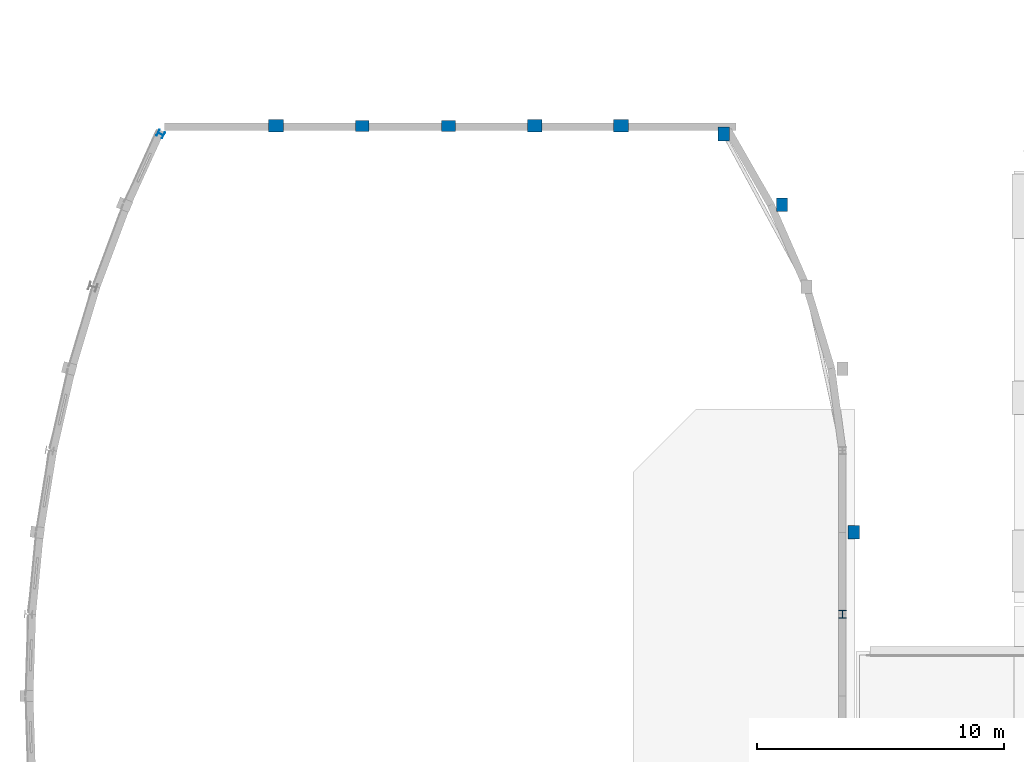
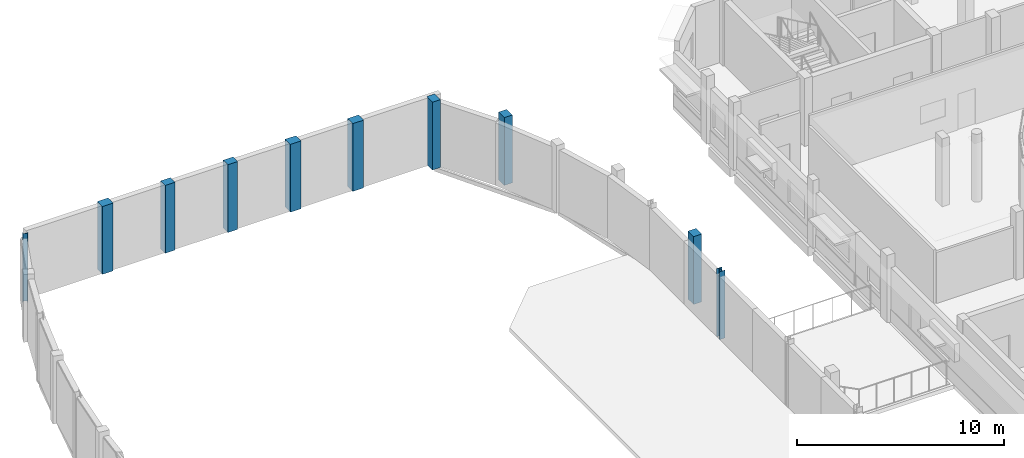
# One storey, part 5 of 89: 10 columns.
"""IFC4 building model written with IfcOpenShell, lengths in metres."""

from ifc_helpers import new_model, si_unit, direction, frame, origin, origin_2d, place, context, subcontext, project, spatial, rectangle, i_section, extrude, material, material_profile, profile_set, type_object, element, save


model = new_model("IFC4")

# Units and contexts
model_context = context("Model", 3, precision=1e-05, world=origin(), true_north=direction((0.0, 1.0)))
body_context = subcontext(model_context, "Body", "Model", "MODEL_VIEW")
ifc_project = project(units=[si_unit("LENGTHUNIT", "METRE"), si_unit("AREAUNIT", "SQUARE_METRE"), si_unit("VOLUMEUNIT", "CUBIC_METRE"), si_unit("PLANEANGLEUNIT", "RADIAN"), si_unit("MASSUNIT", "GRAM", prefix="KILO")], contexts=[model_context])

# Site, building, storey
site_placement = place(None, origin())
site = spatial("IfcSite", under=ifc_project, at=site_placement, CompositionType="ELEMENT")
building_placement = place(site_placement, origin())
building = spatial("IfcBuilding", under=site, at=building_placement, Name="Kelanivale Promenade Academy", CompositionType="ELEMENT")
storey_placement = place(building_placement, frame((0.0, 0.0, 12.199951171875)))
storey = spatial("IfcBuildingStorey", under=building, at=storey_placement, Name="L03", CompositionType="ELEMENT", Elevation=12.199951171875)

# Columns
ifc_material_1 = material(Name="Concrete C40/50", Category="concrete")
ifc_material_profile_1 = material_profile(ifc_material_1, rectangle(XDim=0.449951171875, YDim=0.550048828125, at=origin_2d()), Name="RC-PIL 450x550")
ifc_profile_set_1 = profile_set([ifc_material_profile_1], Name="Concrete C40/50")
column_type_1 = type_object("IfcColumnType", Name="PL-17 RC-PIL 450x550", PredefinedType="PILASTER", material=ifc_profile_set_1)
for number, where, z_axis, x_axis, name in (
    (1, (16.012939453125, 79.280029296875, 0.0), (0.0, 0.0, 1.0), (0.0, 1.0, 0.0), "Column PL-17 at (16.0, 79.3) L03"),
    (2, (19.506103515625, 79.280029296875, 0.0), (0.0, 0.0, 1.0), (0.0, 1.0, 0.0), "Column PL-17 at (19.5, 79.3) L03"),
    (3, (30.64990234375, 78.949951171875, 0.0), (0.0, 0.0, 1.0), (1.0, 0.0, 0.0), "Column PL-17 at (30.6, 79.0) L03"),
    (4, (33.010009765625, 76.0859375, 0.0), (0.0, 0.0, 1.0), (1.0, 0.0, 0.0), "Column PL-17 at (33.0, 76.1) L03"),
    (5, (35.909912109375, 62.8291015625, 0.0), (0.0, 0.0, 1.0), (1.0, 0.0, 0.0), "Column PL-17 at (35.9, 62.8) L03"),
):
    element("IfcColumn", number, at=place(storey_placement, frame(where, z_axis=z_axis, x_axis=x_axis)), inside=storey, type_object=column_type_1, Name=name, PredefinedType="PILASTER", context=body_context, shape_type="SweptSolid", body=[
        extrude(rectangle(XDim=0.449951171875, YDim=0.550048828125, at=origin_2d()), origin(), (0.0, 0.0, 1.0), 4.0),
    ])
ifc_material_profile_2 = material_profile(ifc_material_1, rectangle(XDim=0.5, YDim=0.60009765625, at=origin_2d()), Name="RC-PIL 500x600")
ifc_profile_set_2 = profile_set([ifc_material_profile_2], Name="Concrete C40/50")
column_type_2 = type_object("IfcColumnType", Name="PL-18 RC-PIL 500x600", PredefinedType="PILASTER", material=ifc_profile_set_2)
for number, where, z_axis, x_axis, name in (
    (6, (12.52001953125, 79.280029296875, 0.0), (0.0, 0.0, 1.0), (0.0, 1.0, 0.0), "Column PL-18 at (12.5, 79.3) L03"),
    (7, (22.9990234375, 79.280029296875, 0.0), (0.0, 0.0, 1.0), (0.0, 1.0, 0.0), "Column PL-18 at (23.0, 79.3) L03"),
    (8, (26.491943359375, 79.280029296875, 0.0), (0.0, 0.0, 1.0), (0.0, 1.0, 0.0), "Column PL-18 at (26.5, 79.3) L03"),
):
    element("IfcColumn", number, at=place(storey_placement, frame(where, z_axis=z_axis, x_axis=x_axis)), inside=storey, type_object=column_type_2, Name=name, PredefinedType="PILASTER", context=body_context, shape_type="SweptSolid", body=[
        extrude(rectangle(XDim=0.5, YDim=0.60009765625, at=origin_2d()), origin(), (0.0, 0.0, 1.0), 4.0),
    ])
ifc_material_2 = material(Name="Steel S355", Category="steel")
ifc_material_profile_3 = material_profile(ifc_material_2, i_section(OverallWidth=0.25634765625, OverallDepth=0.26025390625, WebThickness=0.01025390625, FlangeThickness=0.017333984375, FilletRadius=0.0126953125, at=origin_2d()), Name="UC 254x254x89")
ifc_profile_set_3 = profile_set([ifc_material_profile_3], Name="Steel S355")
column_type_3 = type_object("IfcColumnType", Name="SC-03 UC 254x254x89", PredefinedType="COLUMN", material=ifc_profile_set_3)
column_1_placement = place(storey_placement, frame((7.862060546875, 78.949951171875, 0.0), z_axis=(0.0, 0.0, 1.0), x_axis=(0.44619781311, 0.894934361602, 0.0)))
element("IfcColumn", 9, at=column_1_placement, inside=storey, type_object=column_type_3, Name="Column SC-03 at (7.9, 79.0) L03", PredefinedType="COLUMN", context=body_context, shape_type="SweptSolid", body=[
    extrude(i_section(OverallWidth=0.25634765625, OverallDepth=0.26025390625, WebThickness=0.01025390625, FlangeThickness=0.017333984375, FilletRadius=0.0126953125, at=origin_2d()), origin(), (0.0, 0.0, 1.0), 4.0),
])
ifc_material_profile_4 = material_profile(ifc_material_2, i_section(OverallWidth=0.307373046875, OverallDepth=0.314453125, WebThickness=0.011962890625, FlangeThickness=0.018798828125, FilletRadius=0.01513671875, at=origin_2d()), Name="UC 305x305x118")
ifc_profile_set_4 = profile_set([ifc_material_profile_4], Name="Steel S355")
column_type_4 = type_object("IfcColumnType", Name="SC-04 UC 305x305x118", PredefinedType="COLUMN", material=ifc_profile_set_4)
column_2_placement = place(storey_placement, frame((35.449951171875, 59.513916015625, 0.0), z_axis=(0.0, 0.0, 1.0), x_axis=(1.0, 0.0, 0.0)))
element("IfcColumn", 10, at=column_2_placement, inside=storey, type_object=column_type_4, Name="Column SC-04 at (35.5, 59.5) L03", PredefinedType="COLUMN", context=body_context, shape_type="SweptSolid", body=[
    extrude(i_section(OverallWidth=0.307373046875, OverallDepth=0.314453125, WebThickness=0.011962890625, FlangeThickness=0.018798828125, FilletRadius=0.01513671875, at=origin_2d()), origin(), (0.0, 0.0, 1.0), 4.0),
])

save(model, "model.ifc")
